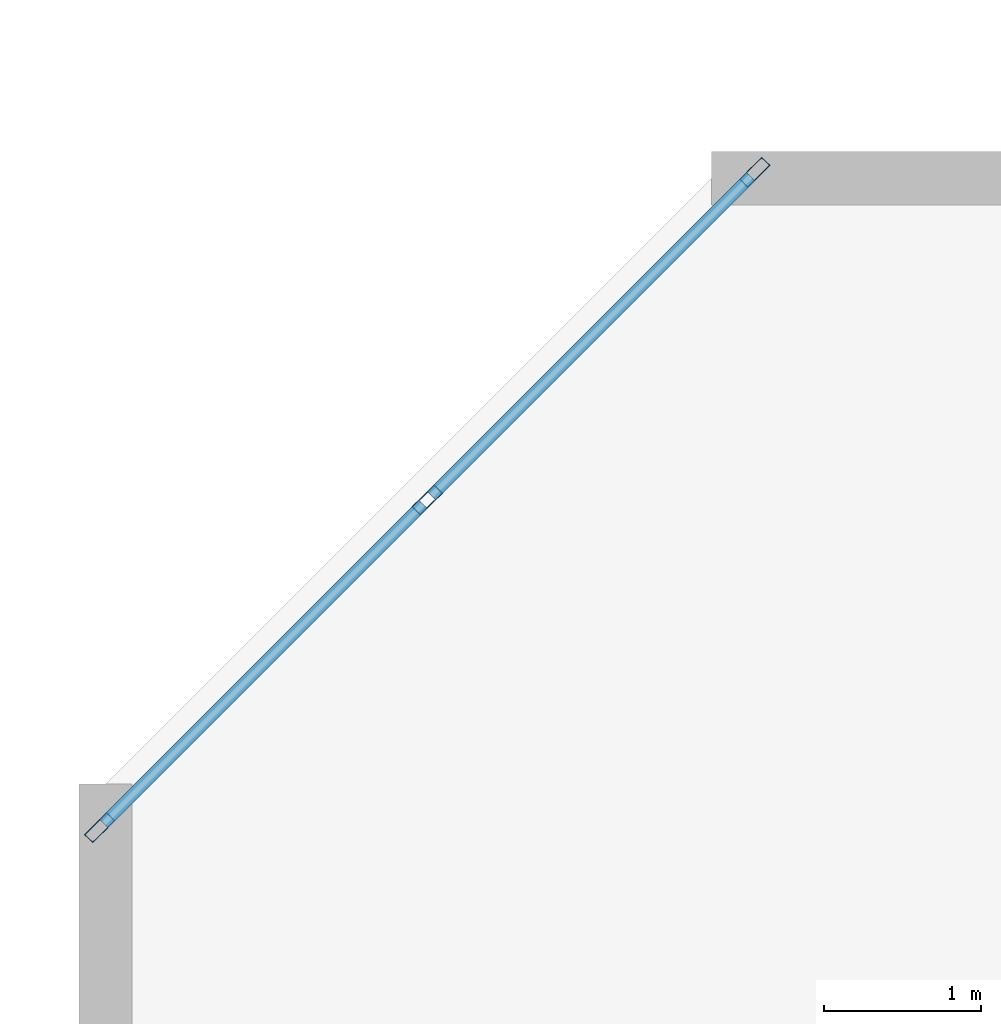
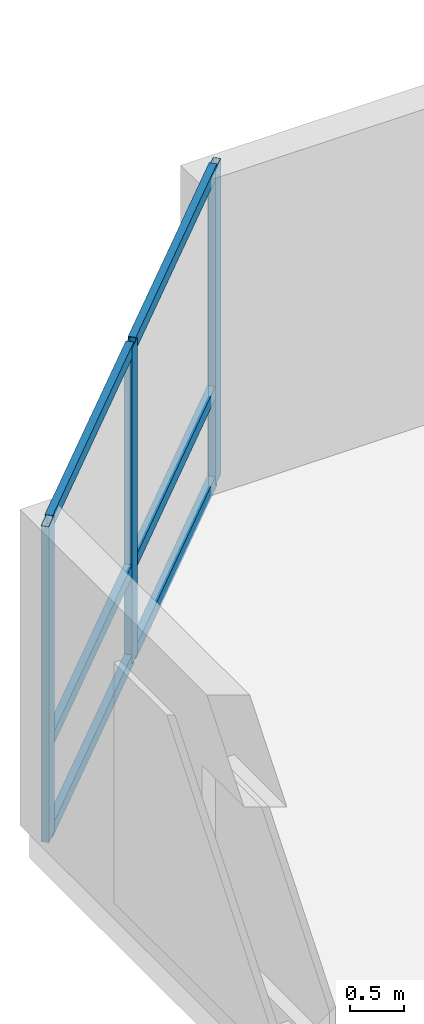
# One storey, part 3 of 12: 9 members, 1 element without a shape of its own.
"""IFC4 building model written with IfcOpenShell, lengths in metres."""

from ifc_helpers import new_model, si_unit, direction, frame, origin, origin_2d, place, context, subcontext, project, spatial, hollow_rectangle, extrude, material, layer, layer_set, material_profile, profile_set, type_object, element, aggregate, save


model = new_model("IFC4")

# Units and contexts
model_context = context("Model", 3, precision=1e-05, world=origin(), true_north=direction((0.0, 1.0)))
body_context = subcontext(model_context, "Body", "Model", "MODEL_VIEW")
ifc_project = project(units=[si_unit("LENGTHUNIT", "METRE"), si_unit("AREAUNIT", "SQUARE_METRE"), si_unit("VOLUMEUNIT", "CUBIC_METRE"), si_unit("PLANEANGLEUNIT", "RADIAN"), si_unit("MASSUNIT", "GRAM", prefix="KILO")], contexts=[model_context])

# Site, building, storey
site_placement = place(None, origin())
site = spatial("IfcSite", under=ifc_project, at=site_placement, CompositionType="ELEMENT")
building_placement = place(site_placement, origin())
building = spatial("IfcBuilding", under=site, at=building_placement, Name="Kestravale Grand Hotel", CompositionType="ELEMENT")
storey_placement = place(building_placement, frame((0.0, 0.0, 26.0)))
storey = spatial("IfcBuildingStorey", under=building, at=storey_placement, Name="L05", CompositionType="ELEMENT", Elevation=26.0)

# Curtain wall, members
ifc_material_1 = material(Name="Thermally broken champagne-bronze aluminium and low-E glazing", Category="aluminium")
ifc_layer = layer(ifc_material_1, 0.199951171875)
ifc_layer_set = layer_set([ifc_layer], Name="CW-Z1")
curtain_wall_type = type_object("IfcCurtainWallType", Name="CW-Z1", PredefinedType="NOTDEFINED", material=ifc_layer_set)
curtain_wall_placement = place(storey_placement, origin())
curtain_wall = element("IfcCurtainWall", 1, at=curtain_wall_placement, inside=storey, type_object=curtain_wall_type, Name="L05 unitised curtain wall 18", PredefinedType="NOTDEFINED")
ifc_material_2 = material(Name="Aluminium 6063-T6 anodised", Category="aluminium")
ifc_material_profile_1 = material_profile(ifc_material_2, hollow_rectangle(XDim=0.074951171875, YDim=0.199951171875, WallThickness=0.00390625, at=origin_2d()))
ifc_profile_set_1 = profile_set([ifc_material_profile_1], Name="Aluminium 6063-T6 anodised")
member_type_1 = type_object("IfcMemberType", Name="CW-MUL-200", PredefinedType="MULLION", material=ifc_profile_set_1)
member_1_placement = place(storey_placement, frame((6.707763671875, 46.0673828125, 0.0), z_axis=(0.0, 0.0, 1.0), x_axis=(0.707106781187, -0.707106781187, 0.0)))
member_1 = element("IfcMember", 2, at=member_1_placement, type_object=member_type_1, Name="CW-Z1 mullion 1", PredefinedType="MULLION", context=body_context, shape_type="SweptSolid", body=[
    extrude(hollow_rectangle(XDim=0.074951171875, YDim=0.199951171875, WallThickness=0.00390625, at=origin_2d()), origin(), (0.0, 0.0, 1.0), 3.5400390625),
])
member_2_placement = place(storey_placement, frame((4.6201171875, 43.979736328125, 0.0), z_axis=(0.0, 0.0, 1.0), x_axis=(0.707106781187, -0.707106781187, 0.0)))
member_2 = element("IfcMember", 3, at=member_2_placement, type_object=member_type_1, Name="CW-Z1 mullion 2", PredefinedType="MULLION", context=body_context, shape_type="SweptSolid", body=[
    extrude(hollow_rectangle(XDim=0.074951171875, YDim=0.199951171875, WallThickness=0.00390625, at=origin_2d()), origin(), (0.0, 0.0, 1.0), 3.5400390625),
])
member_3_placement = place(storey_placement, frame((2.532470703125, 41.89208984375, 0.0), z_axis=(0.0, 0.0, 1.0), x_axis=(0.707106781187, -0.707106781187, 0.0)))
member_3 = element("IfcMember", 4, at=member_3_placement, type_object=member_type_1, Name="CW-Z1 mullion 3", PredefinedType="MULLION", context=body_context, shape_type="SweptSolid", body=[
    extrude(hollow_rectangle(XDim=0.074951171875, YDim=0.199951171875, WallThickness=0.00390625, at=origin_2d()), origin(), (0.0, 0.0, 1.0), 3.5400390625),
])
ifc_material_3 = material(Name="Aluminium 6063-T6 anodised", Category="aluminium")
ifc_material_profile_2 = material_profile(ifc_material_3, hollow_rectangle(XDim=0.074951171875, YDim=0.139892578125, WallThickness=0.00341796875, at=origin_2d()))
ifc_profile_set_2 = profile_set([ifc_material_profile_2], Name="Aluminium 6063-T6 anodised")
member_type_2 = type_object("IfcMemberType", Name="CW-TRN-140", PredefinedType="USERDEFINED", material=ifc_profile_set_2)
member_4_placement = place(storey_placement, frame((6.681396484375, 46.041015625, 0.03759765625), z_axis=(-0.707106781187, -0.707106781187, 0.0), x_axis=(0.707106781187, -0.707106781187, 0.0)))
member_4 = element("IfcMember", 5, at=member_4_placement, type_object=member_type_2, Name="CW-Z1 transom 1.1", ObjectType="TRANSOM", PredefinedType="USERDEFINED", context=body_context, shape_type="SweptSolid", body=[
    extrude(hollow_rectangle(XDim=0.074951171875, YDim=0.139892578125, WallThickness=0.00341796875, at=origin_2d()), origin(), (0.0, 0.0, 1.0), 2.87744140625),
])
member_5_placement = place(storey_placement, frame((6.681396484375, 46.041015625, 1.050048828125), z_axis=(-0.707106781187, -0.707106781187, 0.0), x_axis=(0.707106781187, -0.707106781187, 0.0)))
member_5 = element("IfcMember", 6, at=member_5_placement, type_object=member_type_2, Name="CW-Z1 transom 1.2", ObjectType="TRANSOM", PredefinedType="USERDEFINED", context=body_context, shape_type="SweptSolid", body=[
    extrude(hollow_rectangle(XDim=0.074951171875, YDim=0.139892578125, WallThickness=0.00341796875, at=origin_2d()), origin(), (0.0, 0.0, 1.0), 2.87744140625),
])
member_6_placement = place(storey_placement, frame((6.681396484375, 46.041015625, 3.50244140625), z_axis=(-0.707106781187, -0.707106781187, 0.0), x_axis=(0.707106781187, -0.707106781187, 0.0)))
member_6 = element("IfcMember", 7, at=member_6_placement, type_object=member_type_2, Name="CW-Z1 transom 1.3", ObjectType="TRANSOM", PredefinedType="USERDEFINED", context=body_context, shape_type="SweptSolid", body=[
    extrude(hollow_rectangle(XDim=0.074951171875, YDim=0.139892578125, WallThickness=0.00341796875, at=origin_2d()), origin(), (0.0, 0.0, 1.0), 2.87744140625),
])
member_7_placement = place(storey_placement, frame((4.59375, 43.953369140625, 0.03759765625), z_axis=(-0.707106781187, -0.707106781187, 0.0), x_axis=(0.707106781187, -0.707106781187, 0.0)))
member_7 = element("IfcMember", 8, at=member_7_placement, type_object=member_type_2, Name="CW-Z1 transom 2.1", ObjectType="TRANSOM", PredefinedType="USERDEFINED", context=body_context, shape_type="SweptSolid", body=[
    extrude(hollow_rectangle(XDim=0.074951171875, YDim=0.139892578125, WallThickness=0.00341796875, at=origin_2d()), origin(), (0.0, 0.0, 1.0), 2.87744140625),
])
member_8_placement = place(storey_placement, frame((4.59375, 43.953369140625, 1.050048828125), z_axis=(-0.707106781187, -0.707106781187, 0.0), x_axis=(0.707106781187, -0.707106781187, 0.0)))
member_8 = element("IfcMember", 9, at=member_8_placement, type_object=member_type_2, Name="CW-Z1 transom 2.2", ObjectType="TRANSOM", PredefinedType="USERDEFINED", context=body_context, shape_type="SweptSolid", body=[
    extrude(hollow_rectangle(XDim=0.074951171875, YDim=0.139892578125, WallThickness=0.00341796875, at=origin_2d()), origin(), (0.0, 0.0, 1.0), 2.87744140625),
])
member_9_placement = place(storey_placement, frame((4.59375, 43.953369140625, 3.50244140625), z_axis=(-0.707106781187, -0.707106781187, 0.0), x_axis=(0.707106781187, -0.707106781187, 0.0)))
member_9 = element("IfcMember", 10, at=member_9_placement, type_object=member_type_2, Name="CW-Z1 transom 2.3", ObjectType="TRANSOM", PredefinedType="USERDEFINED", context=body_context, shape_type="SweptSolid", body=[
    extrude(hollow_rectangle(XDim=0.074951171875, YDim=0.139892578125, WallThickness=0.00341796875, at=origin_2d()), origin(), (0.0, 0.0, 1.0), 2.87744140625),
])
aggregate(curtain_wall, [member_1, member_2, member_3, member_4, member_5, member_6, member_7, member_8, member_9])

save(model, "model.ifc")
